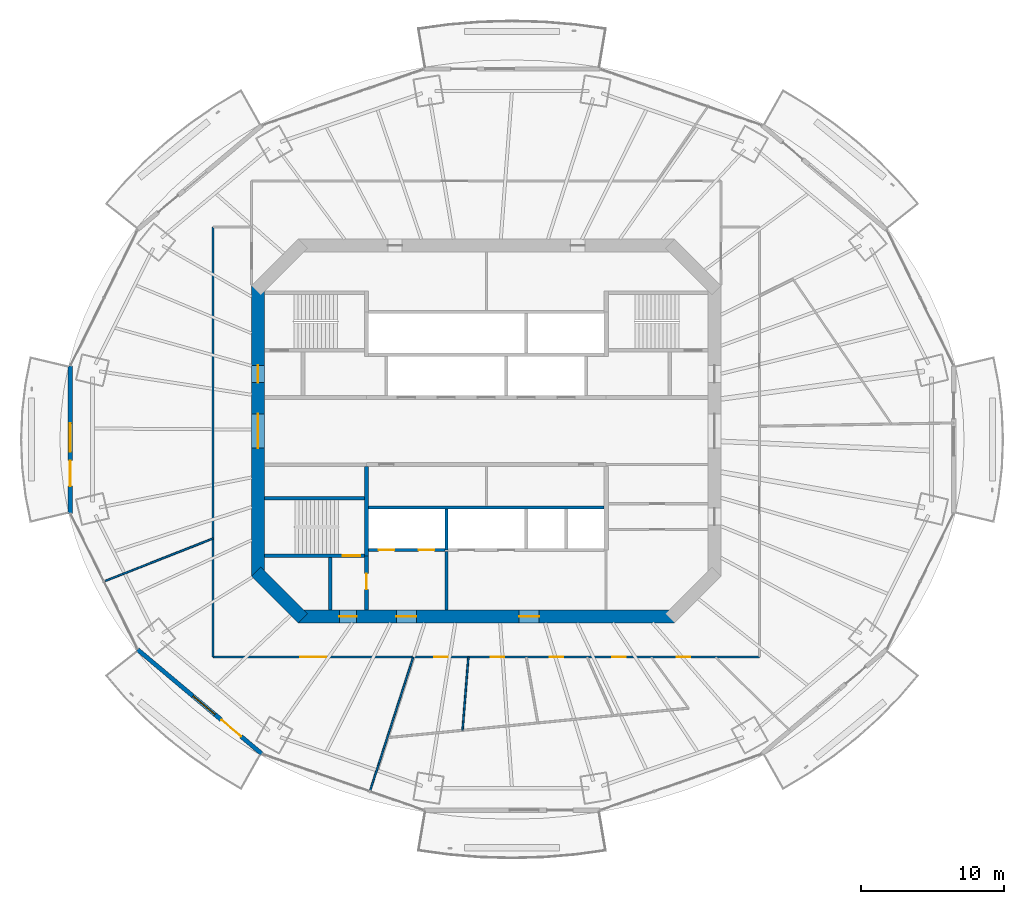
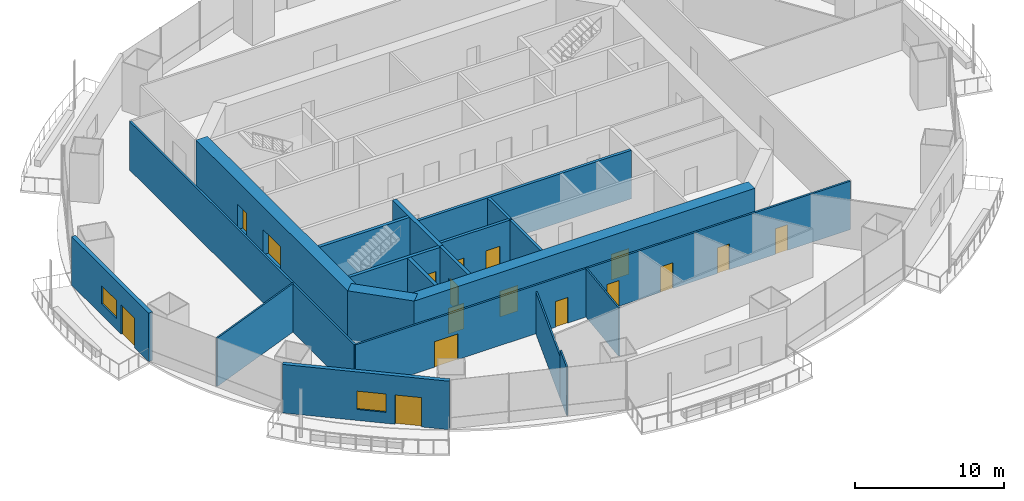
# One storey, part 12 of 21: 20 walls, 17 doors, 2 windows, 19 openings.
"""IFC4 building model written with IfcOpenShell, lengths in metres."""

import ifcopenshell
import ifcopenshell.guid

model = None  # the IFC model being written
_history = None  # IfcOwnerHistory: only IFC2X3 demands one
_inside = {}  # id of a spatial element -> (the spatial element, [elements in it])
_under = {}  # id of a project, library or spatial element -> (it, [spatial elements below it])
_declared = {}  # id of a project -> (the project, [libraries it declares])
_typed = {}  # id of a type object -> (the type object, [elements of that type])
_made_of = {}  # id of a material, layer set ... -> (it, [elements and type objects made of it])


def new_model(schema):
    """Start an empty IFC model of exactly this schema.

    Asked for "IFC4X3", IfcOpenShell would pick the latest addendum, in which some entities
    have other attributes; the version numbers below select the first issue.
    IFC2X3 requires an IfcOwnerHistory on every rooted entity: one is made here for all.
    """
    global model, _history
    if schema == "IFC4X3":
        model = ifcopenshell.file(schema_version=(4, 3, 0, 0))
    else:
        model = ifcopenshell.file(schema=schema)
    _inside.clear()
    _under.clear()
    _declared.clear()
    _typed.clear()
    _made_of.clear()
    _history = None
    if model.schema == "IFC2X3":
        org = make("IfcOrganization", Name="unknown")
        user = make(
            "IfcPersonAndOrganization",
            ThePerson=make("IfcPerson", FamilyName="unknown"),
            TheOrganization=org,
        )
        app = make(
            "IfcApplication",
            ApplicationDeveloper=org,
            Version="unknown",
            ApplicationFullName="unknown",
            ApplicationIdentifier="unknown",
        )
        _history = make(
            "IfcOwnerHistory",
            OwningUser=user,
            OwningApplication=app,
            ChangeAction="ADDED",
            CreationDate=0,
        )
    return model


def make(cls, **values):
    """One entity of the class cls with the attributes given. An attribute that is None is left unset."""
    return model.create_entity(
        cls, **{name: value for name, value in values.items() if value is not None}
    )


def rooted(cls, **values):
    """An entity with a GlobalId (a new one), such as an element, a storey or a relation."""
    return make(cls, GlobalId=ifcopenshell.guid.new(), OwnerHistory=_history, **values)


def si_unit(unit_type, name, prefix=None):
    """IfcSIUnit, for example si_unit("LENGTHUNIT", "METRE", prefix="MILLI")."""
    return make("IfcSIUnit", UnitType=unit_type, Prefix=prefix, Name=name)


def assignment(units):
    """IfcUnitAssignment: the units of a project."""
    return None if units is None else make("IfcUnitAssignment", Units=units)


def point(xyz):
    """IfcCartesianPoint."""
    return None if xyz is None else make("IfcCartesianPoint", Coordinates=xyz)


def direction(xyz):
    """IfcDirection."""
    return None if xyz is None else make("IfcDirection", DirectionRatios=xyz)


def frame(location, z_axis=None, x_axis=None):
    """IfcAxis2Placement3D, a coordinate frame: its origin and axes. An axis left out is left unset."""
    return make(
        "IfcAxis2Placement3D",
        Location=point(location),
        Axis=direction(z_axis),
        RefDirection=direction(x_axis),
    )


def frame_2d(location, x_axis=None):
    """IfcAxis2Placement2D, a coordinate frame in the plane: its origin and x axis."""
    return make(
        "IfcAxis2Placement2D", Location=point(location), RefDirection=direction(x_axis)
    )


def origin():
    """The frame at (0, 0, 0) with its axes left unset."""
    return frame((0.0, 0.0, 0.0))


def place(relative_to, where):
    """IfcLocalPlacement: puts the frame where relative to a parent placement (None: the world)."""
    return make(
        "IfcLocalPlacement", PlacementRelTo=relative_to, RelativePlacement=where
    )


def context(
    kind, dimensions, precision=None, world=None, true_north=None, identifier=None
):
    """IfcGeometricRepresentationContext, for example the 3D "Model" context."""
    return make(
        "IfcGeometricRepresentationContext",
        ContextIdentifier=identifier,
        ContextType=kind,
        CoordinateSpaceDimension=dimensions,
        Precision=precision,
        WorldCoordinateSystem=world,
        TrueNorth=true_north,
    )


def subcontext(parent, identifier, kind, view, scale=None):
    """IfcGeometricRepresentationSubContext, for example "Body" below "Model"."""
    return make(
        "IfcGeometricRepresentationSubContext",
        ContextIdentifier=identifier,
        ContextType=kind,
        ParentContext=parent,
        TargetScale=scale,
        TargetView=view,
    )


def project(units=None, contexts=None):
    """IfcProject with its units and contexts."""
    return rooted(
        "IfcProject",
        Name="project",
        RepresentationContexts=contexts,
        UnitsInContext=assignment(units),
    )


def spatial(cls, under=None, at=None, **own):
    """A site, building, storey or space (cls), placed at a placement, below another one or the project."""
    s = rooted(cls, ObjectPlacement=at, **own)
    if under is not None:
        _under.setdefault(under.id(), (under, []))[1].append(s)
    return s


def profile(cls, at=None, kind="AREA", **sizes):
    """A parametric profile (cls). Its sizes go by their IFC names, for example OverallWidth=200.0."""
    return make(cls, ProfileType=kind, Position=at, **sizes)


def rectangle(**sizes):
    """IfcRectangleProfileDef."""
    return profile("IfcRectangleProfileDef", **sizes)


def extrude(swept, where, along, depth):
    """IfcExtrudedAreaSolid: the profile swept, set in the frame where, extruded along a direction by depth."""
    return make(
        "IfcExtrudedAreaSolid",
        SweptArea=swept,
        Position=where,
        ExtrudedDirection=direction(along),
        Depth=depth,
    )


def shape(context_of_items, identifier, shape_type, items):
    """IfcShapeRepresentation: the items that make up one representation, for example the "Body"."""
    return make(
        "IfcShapeRepresentation",
        ContextOfItems=context_of_items,
        RepresentationIdentifier=identifier,
        RepresentationType=shape_type,
        Items=items,
    )


def material(Name=None, Category=None):
    """IfcMaterial."""
    return make("IfcMaterial", Name=Name, Category=Category)


def layer(
    of_material, thickness, ventilated=None, Name=None, Category=None, Priority=None
):
    """IfcMaterialLayer: one layer of a wall or slab, of a material (None: an air gap)."""
    return make(
        "IfcMaterialLayer",
        Material=of_material,
        LayerThickness=thickness,
        IsVentilated=ventilated,
        Name=Name,
        Category=Category,
        Priority=Priority,
    )


def layer_set(layers, Name=None):
    """IfcMaterialLayerSet."""
    return make("IfcMaterialLayerSet", MaterialLayers=layers, LayerSetName=Name)


def made_of(thing, what):
    """Note that an element or type object is made of a material, layer set ...; save() writes the relation."""
    if what is not None:
        _made_of.setdefault(what.id(), (what, []))[1].append(thing)
    return thing


def type_object(cls, material=None, **own):
    """A type object (cls), such as IfcWallType, which elements share."""
    return made_of(rooted(cls, **own), material)


def element(
    cls,
    number,
    at=None,
    inside=None,
    cuts=None,
    type_object=None,
    material=None,
    context=None,
    identifier="Body",
    shape_type=None,
    held_by="IfcProductDefinitionShape",
    body=None,
    shapes=None,
    **own,
):
    """One element of the class cls, such as IfcWall. Its Tag is "e" and its number.

    at: its placement. inside: the storey or other place that contains it. cuts: it is an
    opening in that element (IfcRelVoidsElement). A single representation is given by context,
    identifier, shape_type and body (its items); several are given by shapes. held_by: the class
    of the entity that holds the representations. save() writes the other relations.
    """
    e = rooted(cls, Tag="e%d" % number, ObjectPlacement=at, **own)
    if body is not None:
        shapes = [shape(context, identifier, shape_type, body)]
    if shapes is not None:
        e.Representation = make(held_by, Representations=shapes)
    if inside is not None:
        _inside.setdefault(inside.id(), (inside, []))[1].append(e)
    if cuts is not None:
        rooted(
            "IfcRelVoidsElement", RelatingBuildingElement=cuts, RelatedOpeningElement=e
        )
    if type_object is not None:
        _typed.setdefault(type_object.id(), (type_object, []))[1].append(e)
    return made_of(e, material)


def fill(opening, filler):
    """IfcRelFillsElement: the door or window that sits in an opening."""
    return rooted(
        "IfcRelFillsElement",
        RelatingOpeningElement=opening,
        RelatedBuildingElement=filler,
    )


def aggregate(whole, parts):
    """IfcRelAggregates: a whole, such as a stair, and the parts it consists of."""
    return rooted("IfcRelAggregates", RelatingObject=whole, RelatedObjects=parts)


def save(model, path):
    """Write the relations noted so far, then the file.

    IfcRelAggregates (storeys below a building ...), IfcRelContainedInSpatialStructure (elements
    in a storey), IfcRelDefinesByType, IfcRelAssociatesMaterial and IfcRelDeclares: one each for
    every whole, place, type object, material and project.
    """
    for whole, parts in _under.values():
        aggregate(whole, parts)
    for where, things in _inside.values():
        rooted(
            "IfcRelContainedInSpatialStructure",
            RelatedElements=things,
            RelatingStructure=where,
        )
    for kind, things in _typed.values():
        rooted("IfcRelDefinesByType", RelatedObjects=things, RelatingType=kind)
    for what, things in _made_of.values():
        rooted("IfcRelAssociatesMaterial", RelatedObjects=things, RelatingMaterial=what)
    for by, libraries in _declared.values():
        rooted("IfcRelDeclares", RelatingContext=by, RelatedDefinitions=libraries)
    model.write(path)


model = new_model("IFC4")

# Units and contexts
model_context = context("Model", 3, precision=1e-05, world=origin(), true_north=direction((0.0, 1.0)))
body_context = subcontext(model_context, "Body", "Model", "MODEL_VIEW")
ifc_project = project(units=[si_unit("LENGTHUNIT", "METRE"), si_unit("AREAUNIT", "SQUARE_METRE"), si_unit("VOLUMEUNIT", "CUBIC_METRE"), si_unit("PLANEANGLEUNIT", "RADIAN"), si_unit("MASSUNIT", "GRAM", prefix="KILO")], contexts=[model_context])

# Site, building, storey
site_placement = place(None, origin())
site = spatial("IfcSite", under=ifc_project, at=site_placement, CompositionType="ELEMENT")
building_placement = place(site_placement, origin())
building = spatial("IfcBuilding", under=site, at=building_placement, Name="Marenthal Gate Tower", CompositionType="ELEMENT")
storey_placement = place(building_placement, frame((0.0, 0.0, 206.699951171875)))
storey = spatial("IfcBuildingStorey", under=building, at=storey_placement, Name="L45", CompositionType="ELEMENT", Elevation=206.699951171875)

# Wall, openings, doors
ifc_material_1 = material(Name="Concrete 60 MPa", Category="concrete")
ifc_layer_1 = layer(ifc_material_1, 0.89990234375)
ifc_layer_set_1 = layer_set([ifc_layer_1], Name="Core shear wall 900")
wall_type_1 = type_object("IfcWallType", Name="Core shear wall 900", PredefinedType="SHEAR", material=ifc_layer_set_1)
wall_1_placement = place(storey_placement, frame((-16.0, 10.186279296875, -0.179931640625), z_axis=(0.0, 0.0, 1.0), x_axis=(0.0, -1.0, 0.0)))
wall_1 = element("IfcWall", 1, at=wall_1_placement, inside=storey, type_object=wall_type_1, Name="Core wall 06", PredefinedType="SHEAR", context=body_context, shape_type="SweptSolid", body=[
    extrude(rectangle(XDim=20.37255859375, YDim=0.89990234375, at=frame_2d((10.186279296875, 0.0))), origin(), (0.0, 0.0, 1.0), 4.14990234375),
])
opening_1_placement = place(wall_1_placement, frame((8.986328125, 0.0, 0.179931640625)))
opening_1 = element("IfcOpeningElement", 2, at=opening_1_placement, cuts=wall_1, Name="Opening D003.01", PredefinedType="OPENING", context=body_context, shape_type="SweptSolid", body=[
    extrude(rectangle(XDim=2.39990234375, YDim=2.10009765625, at=frame_2d((1.199951171875, 1.050048828125))), frame((0.0, 0.4599609375, 0.0), z_axis=(0.0, -1.0, 0.0), x_axis=(1.0, 0.0, 0.0)), (0.0, 0.0, 1.0), 0.919921875),
])
opening_2_placement = place(wall_1_placement, frame((5.58642578125, 0.0, 0.179931640625)))
opening_2 = element("IfcOpeningElement", 3, at=opening_2_placement, cuts=wall_1, Name="Opening D001.04", PredefinedType="OPENING", context=body_context, shape_type="SweptSolid", body=[
    extrude(rectangle(XDim=1.199951171875, YDim=2.10009765625, at=frame_2d((0.60009765625, 1.050048828125))), frame((0.0, 0.4599609375, 0.0), z_axis=(0.0, -1.0, 0.0), x_axis=(1.0, 0.0, 0.0)), (0.0, 0.0, 1.0), 0.919921875),
])
ifc_material_2 = material(Name="Steel fire door", Category="steel")
door_type_1 = type_object("IfcDoorType", Name="Double fire door FD 45 2400 x 2100", OperationType="DOUBLE_DOOR_SINGLE_SWING", PredefinedType="DOOR", material=ifc_material_2)
door_1_placement = place(opening_1_placement, origin())
door_1 = element("IfcDoor", 4, at=door_1_placement, inside=storey, type_object=door_type_1, Name="Door D003.01", OperationType="DOUBLE_DOOR_SINGLE_SWING", OverallHeight=2.10009765625, OverallWidth=2.39990234375, PredefinedType="DOOR", context=body_context, shape_type="SweptSolid", body=[
    extrude(rectangle(XDim=2.39990234375, YDim=2.10009765625, at=frame_2d((1.199951171875, 1.050048828125))), frame((0.0, 0.02490234375, 0.0), z_axis=(0.0, -1.0, 0.0), x_axis=(1.0, 0.0, 0.0)), (0.0, 0.0, 1.0), 0.050048828125),
])
fill(opening_1, door_1)
ifc_material_3 = material(Name="Steel fire door", Category="steel")
door_type_2 = type_object("IfcDoorType", Name="Fire door FD 90 1200 x 2100", OperationType="NOTDEFINED", PredefinedType="DOOR", material=ifc_material_3)
door_2_placement = place(opening_2_placement, origin())
door_2 = element("IfcDoor", 5, at=door_2_placement, inside=storey, type_object=door_type_2, Name="Door D001.04", OperationType="SINGLE_SWING_RIGHT", OverallHeight=2.10009765625, OverallWidth=1.199951171875, PredefinedType="DOOR", context=body_context, shape_type="SweptSolid", body=[
    extrude(rectangle(XDim=1.199951171875, YDim=2.10009765625, at=frame_2d((0.60009765625, 1.050048828125))), frame((0.0, 0.02490234375, 0.0), z_axis=(0.0, -1.0, 0.0), x_axis=(1.0, 0.0, 0.0)), (0.0, 0.0, 1.0), 0.050048828125),
])
fill(opening_2, door_2)

# Wall
wall_2_placement = place(storey_placement, frame((-16.1318359375, -9.8681640625, -0.179931640625), z_axis=(0.0, 0.0, 1.0), x_axis=(0.707106781187, -0.707106781187, 0.0)))
element("IfcWall", 6, at=wall_2_placement, inside=storey, type_object=wall_type_1, Name="Core wall 07", PredefinedType="SHEAR", context=body_context, shape_type="SweptSolid", body=[
    extrude(rectangle(XDim=4.615478515625, YDim=0.89990234375, at=frame_2d((2.3076171875, 0.0))), origin(), (0.0, 0.0, 1.0), 4.14990234375),
])

# Wall, openings, doors
wall_3_placement = place(storey_placement, frame((-13.186279296875, -13.0, -0.179931640625), z_axis=(0.0, 0.0, 1.0), x_axis=(1.0, 0.0, 0.0)))
wall_3 = element("IfcWall", 7, at=wall_3_placement, inside=storey, type_object=wall_type_1, Name="Core wall 08", PredefinedType="SHEAR", context=body_context, shape_type="SweptSolid", body=[
    extrude(rectangle(XDim=26.37255859375, YDim=0.89990234375, at=frame_2d((13.186279296875, 0.0))), origin(), (0.0, 0.0, 1.0), 4.14990234375),
])
opening_3_placement = place(wall_3_placement, frame((2.886474609375, 0.0, 0.179931640625)))
opening_3 = element("IfcOpeningElement", 8, at=opening_3_placement, cuts=wall_3, Name="Opening D001.06", PredefinedType="OPENING", context=body_context, shape_type="SweptSolid", body=[
    extrude(rectangle(XDim=1.199951171875, YDim=2.10009765625, at=frame_2d((0.60009765625, 1.050048828125))), frame((0.0, 0.4599609375, 0.0), z_axis=(0.0, -1.0, 0.0), x_axis=(1.0, 0.0, 0.0)), (0.0, 0.0, 1.0), 0.919921875),
])
opening_4_placement = place(wall_3_placement, frame((6.886474609375, 0.0, 0.179931640625)))
opening_4 = element("IfcOpeningElement", 9, at=opening_4_placement, cuts=wall_3, Name="Opening D004.01", PredefinedType="OPENING", context=body_context, shape_type="SweptSolid", body=[
    extrude(rectangle(XDim=1.39990234375, YDim=2.10009765625, at=frame_2d((0.699951171875, 1.050048828125))), frame((0.0, 0.4599609375, 0.0), z_axis=(0.0, -1.0, 0.0), x_axis=(1.0, 0.0, 0.0)), (0.0, 0.0, 1.0), 0.919921875),
])
opening_5_placement = place(wall_3_placement, frame((15.486328125, 0.0, 0.179931640625)))
opening_5 = element("IfcOpeningElement", 10, at=opening_5_placement, cuts=wall_3, Name="Opening D004.02", PredefinedType="OPENING", context=body_context, shape_type="SweptSolid", body=[
    extrude(rectangle(XDim=1.39990234375, YDim=2.10009765625, at=frame_2d((0.699951171875, 1.050048828125))), frame((0.0, 0.4599609375, 0.0), z_axis=(0.0, -1.0, 0.0), x_axis=(1.0, 0.0, 0.0)), (0.0, 0.0, 1.0), 0.919921875),
])
ifc_material_4 = material(Name="Steel fire door", Category="steel")
door_type_3 = type_object("IfcDoorType", Name="Fire door FD 45 1400 x 2100", OperationType="NOTDEFINED", PredefinedType="DOOR", material=ifc_material_4)
door_3_placement = place(opening_4_placement, origin())
door_3 = element("IfcDoor", 11, at=door_3_placement, inside=storey, type_object=door_type_3, Name="Door D004.01", OperationType="SINGLE_SWING_RIGHT", OverallHeight=2.10009765625, OverallWidth=1.39990234375, PredefinedType="DOOR", context=body_context, shape_type="SweptSolid", body=[
    extrude(rectangle(XDim=1.39990234375, YDim=2.10009765625, at=frame_2d((0.699951171875, 1.050048828125))), frame((0.0, 0.02490234375, 0.0), z_axis=(0.0, -1.0, 0.0), x_axis=(1.0, 0.0, 0.0)), (0.0, 0.0, 1.0), 0.050048828125),
])
fill(opening_4, door_3)
door_4_placement = place(opening_5_placement, origin())
door_4 = element("IfcDoor", 12, at=door_4_placement, inside=storey, type_object=door_type_3, Name="Door D004.02", OperationType="SINGLE_SWING_RIGHT", OverallHeight=2.10009765625, OverallWidth=1.39990234375, PredefinedType="DOOR", context=body_context, shape_type="SweptSolid", body=[
    extrude(rectangle(XDim=1.39990234375, YDim=2.10009765625, at=frame_2d((0.699951171875, 1.050048828125))), frame((0.0, 0.02490234375, 0.0), z_axis=(0.0, -1.0, 0.0), x_axis=(1.0, 0.0, 0.0)), (0.0, 0.0, 1.0), 0.050048828125),
])
fill(opening_5, door_4)
door_5_placement = place(opening_3_placement, origin())
door_5 = element("IfcDoor", 13, at=door_5_placement, inside=storey, type_object=door_type_2, Name="Door D001.06", OperationType="SINGLE_SWING_RIGHT", OverallHeight=2.10009765625, OverallWidth=1.199951171875, PredefinedType="DOOR", context=body_context, shape_type="SweptSolid", body=[
    extrude(rectangle(XDim=1.199951171875, YDim=2.10009765625, at=frame_2d((0.60009765625, 1.050048828125))), frame((0.0, 0.02490234375, 0.0), z_axis=(0.0, -1.0, 0.0), x_axis=(1.0, 0.0, 0.0)), (0.0, 0.0, 1.0), 0.050048828125),
])
fill(opening_3, door_5)

# Walls
ifc_material_5 = material(Name="Gypsum board on steel studs", Category="steel")
ifc_layer_2 = layer(ifc_material_5, 0.199951171875)
ifc_layer_set_2 = layer_set([ifc_layer_2], Name="Fire lobby wall 200")
wall_type_2 = type_object("IfcWallType", Name="Fire lobby wall 200", PredefinedType="PARTITIONING", material=ifc_layer_set_2)
wall_4_placement = place(storey_placement, frame((-2.800048828125, -12.550048828125, 0.0), z_axis=(0.0, 0.0, 1.0), x_axis=(0.0, 1.0, 0.0)))
element("IfcWall", 14, at=wall_4_placement, inside=storey, type_object=wall_type_2, Name="Fire wall 35", PredefinedType="PARTITIONING", context=body_context, shape_type="SweptSolid", body=[
    extrude(rectangle(XDim=4.090087890625, YDim=0.199951171875, at=frame_2d((2.044921875, 0.0))), origin(), (0.0, 0.0, 1.0), 3.969970703125),
])
ifc_material_6 = material(Name="Concrete 50 MPa", Category="concrete")
ifc_layer_3 = layer(ifc_material_6, 0.300048828125)
ifc_layer_set_3 = layer_set([ifc_layer_3], Name="Hoistway shear wall 300")
wall_type_3 = type_object("IfcWallType", Name="Hoistway shear wall 300", PredefinedType="SHEAR", material=ifc_layer_set_3)
wall_5_placement = place(storey_placement, frame((-8.39990234375, -8.75, -0.179931640625), z_axis=(0.0, 0.0, 1.0), x_axis=(0.0, 1.0, 0.0)))
element("IfcWall", 15, at=wall_5_placement, inside=storey, type_object=wall_type_3, Name="Hoistway wall 31", PredefinedType="SHEAR", context=body_context, shape_type="SweptSolid", body=[
    extrude(rectangle(XDim=6.25, YDim=0.300048828125, at=frame_2d((3.125, 0.0))), origin(), (0.0, 0.0, 1.0), 4.14990234375),
])

# Wall, openings, doors
ifc_material_7 = material(Name="Concrete 40 MPa", Category="concrete")
ifc_layer_4 = layer(ifc_material_7, 0.219970703125)
ifc_layer_set_4 = layer_set([ifc_layer_4], Name="Hoistway wall 220")
wall_type_4 = type_object("IfcWallType", Name="Hoistway wall 220", PredefinedType="STANDARD", material=ifc_layer_set_4)
wall_6_placement = place(storey_placement, frame((-8.25, -8.35009765625, 0.0), z_axis=(0.0, 0.0, 1.0), x_axis=(1.0, 0.0, 0.0)))
wall_6 = element("IfcWall", 16, at=wall_6_placement, inside=storey, type_object=wall_type_4, Name="Hoistway wall 10", PredefinedType="STANDARD", context=body_context, shape_type="SweptSolid", body=[
    extrude(rectangle(XDim=5.340087890625, YDim=0.219970703125, at=frame_2d((2.669921875, 0.0))), origin(), (0.0, 0.0, 1.0), 3.969970703125),
])
opening_6_placement = place(wall_6_placement, frame((0.699951171875, 0.0, 0.0)))
opening_6 = element("IfcOpeningElement", 17, at=opening_6_placement, cuts=wall_6, Name="Opening LD-LF1", PredefinedType="OPENING", context=body_context, shape_type="SweptSolid", body=[
    extrude(rectangle(XDim=1.10009765625, YDim=2.10009765625, at=frame_2d((0.550048828125, 1.050048828125))), frame((0.0, 0.1201171875, 0.0), z_axis=(0.0, -1.0, 0.0), x_axis=(1.0, 0.0, 0.0)), (0.0, 0.0, 1.0), 0.239990234375),
])
opening_7_placement = place(wall_6_placement, frame((3.5, 0.0, 0.0)))
opening_7 = element("IfcOpeningElement", 18, at=opening_7_placement, cuts=wall_6, Name="Opening LD-LF2", PredefinedType="OPENING", context=body_context, shape_type="SweptSolid", body=[
    extrude(rectangle(XDim=1.10009765625, YDim=2.10009765625, at=frame_2d((0.550048828125, 1.050048828125))), frame((0.0, 0.1201171875, 0.0), z_axis=(0.0, -1.0, 0.0), x_axis=(1.0, 0.0, 0.0)), (0.0, 0.0, 1.0), 0.239990234375),
])
ifc_material_8 = material(Name="Stainless steel sliding door", Category="steel")
door_type_4 = type_object("IfcDoorType", Name="Lift landing door FD 90 1100 x 2100", OperationType="DOUBLE_DOOR_SLIDING", PredefinedType="DOOR", material=ifc_material_8)
door_6_placement = place(opening_6_placement, origin())
door_6 = element("IfcDoor", 19, at=door_6_placement, inside=storey, type_object=door_type_4, Name="Lift landing door LF1", OperationType="DOUBLE_DOOR_SLIDING", OverallHeight=2.10009765625, OverallWidth=1.10009765625, PredefinedType="DOOR", context=body_context, shape_type="SweptSolid", body=[
    extrude(rectangle(XDim=1.10009765625, YDim=2.10009765625, at=frame_2d((0.550048828125, 1.050048828125))), frame((0.0, 0.02490234375, 0.0), z_axis=(0.0, -1.0, 0.0), x_axis=(1.0, 0.0, 0.0)), (0.0, 0.0, 1.0), 0.050048828125),
])
fill(opening_6, door_6)
door_7_placement = place(opening_7_placement, origin())
door_7 = element("IfcDoor", 20, at=door_7_placement, inside=storey, type_object=door_type_4, Name="Lift landing door LF2", OperationType="DOUBLE_DOOR_SLIDING", OverallHeight=2.10009765625, OverallWidth=1.10009765625, PredefinedType="DOOR", context=body_context, shape_type="SweptSolid", body=[
    extrude(rectangle(XDim=1.10009765625, YDim=2.10009765625, at=frame_2d((0.550048828125, 1.050048828125))), frame((0.0, 0.02490234375, 0.0), z_axis=(0.0, -1.0, 0.0), x_axis=(1.0, 0.0, 0.0)), (0.0, 0.0, 1.0), 0.050048828125),
])
fill(opening_7, door_7)

# Walls
wall_7_placement = place(storey_placement, frame((-8.25, -5.35009765625, 0.0), z_axis=(0.0, 0.0, 1.0), x_axis=(1.0, 0.0, 0.0)))
element("IfcWall", 21, at=wall_7_placement, inside=storey, type_object=wall_type_4, Name="Hoistway wall 13", PredefinedType="STANDARD", context=body_context, shape_type="SweptSolid", body=[
    extrude(rectangle(XDim=16.5, YDim=0.219970703125, at=frame_2d((8.25, 0.0))), origin(), (0.0, 0.0, 1.0), 3.969970703125),
])
wall_8_placement = place(storey_placement, frame((-2.800048828125, -8.35009765625, 0.0), z_axis=(0.0, 0.0, 1.0), x_axis=(0.0, 1.0, 0.0)))
element("IfcWall", 22, at=wall_8_placement, inside=storey, type_object=wall_type_4, Name="Hoistway wall 36", PredefinedType="STANDARD", context=body_context, shape_type="SweptSolid", body=[
    extrude(rectangle(XDim=2.89013671875, YDim=0.219970703125, at=frame_2d((1.445068359375, 0.0))), origin(), (0.0, 0.0, 1.0), 3.969970703125),
])
ifc_material_9 = material(Name="Gypsum board on steel studs", Category="steel")
ifc_layer_5 = layer(ifc_material_9, 0.1201171875)
ifc_layer_set_5 = layer_set([ifc_layer_5], Name="Partition 120")
wall_type_5 = type_object("IfcWallType", Name="Partition 120", PredefinedType="PARTITIONING", material=ifc_layer_set_5)
wall_9_placement = place(storey_placement, frame((-19.14990234375, -7.5322265625, 0.0), z_axis=(0.0, 0.0, 1.0), x_axis=(-0.930605381834, -0.366024074757, 0.0)))
element("IfcWall", 23, at=wall_9_placement, inside=storey, type_object=wall_type_5, Name="Partition wall 50", PredefinedType="PARTITIONING", context=body_context, shape_type="SweptSolid", body=[
    extrude(rectangle(XDim=8.2294921875, YDim=0.1201171875, at=frame_2d((4.11474609375, 0.0))), origin(), (0.0, 0.0, 1.0), 3.969970703125),
])
wall_10_placement = place(storey_placement, frame((-5.12109375, -15.85009765625, 0.0), z_axis=(0.0, 0.0, 1.0), x_axis=(-0.307427025164, -0.951571660044, 0.0)))
element("IfcWall", 24, at=wall_10_placement, inside=storey, type_object=wall_type_5, Name="Partition wall 55", PredefinedType="PARTITIONING", context=body_context, shape_type="SweptSolid", body=[
    extrude(rectangle(XDim=7.868408203125, YDim=0.1201171875, at=frame_2d((3.93408203125, 0.0))), origin(), (0.0, 0.0, 1.0), 3.43408203125),
])
wall_11_placement = place(storey_placement, frame((-7.5400390625, -23.33740234375, 0.0), z_axis=(0.0, 0.0, 1.0), x_axis=(-0.307495996113, -0.951549374638, 0.0)))
element("IfcWall", 25, at=wall_11_placement, inside=storey, type_object=wall_type_5, Name="Partition wall 69", PredefinedType="PARTITIONING", context=body_context, shape_type="SweptSolid", body=[
    extrude(rectangle(XDim=2.024658203125, YDim=0.1201171875, at=frame_2d((1.01220703125, 0.0))), origin(), (0.0, 0.0, 1.0), 3.969970703125),
])
wall_12_placement = place(storey_placement, frame((-1.66552734375, -20.9814453125, 0.0), z_axis=(0.0, 0.0, 1.0), x_axis=(0.07911181221, 0.996865748819, 0.0)))
element("IfcWall", 26, at=wall_12_placement, inside=storey, type_object=wall_type_5, Name="Partition wall 56", PredefinedType="PARTITIONING", context=body_context, shape_type="SweptSolid", body=[
    extrude(rectangle(XDim=5.1474609375, YDim=0.1201171875, at=frame_2d((2.57373046875, 0.0))), origin(), (0.0, 0.0, 1.0), 3.969970703125),
])
ifc_material_10 = material(Name="Gypsum board on steel studs", Category="steel")
ifc_layer_6 = layer(ifc_material_10, 0.14990234375)
ifc_layer_set_6 = layer_set([ifc_layer_6], Name="Partition 150")
wall_type_6 = type_object("IfcWallType", Name="Partition 150", PredefinedType="PARTITIONING", material=ifc_layer_set_6)
wall_13_placement = place(storey_placement, frame((-19.14990234375, -15.85009765625, 0.0), z_axis=(0.0, 0.0, 1.0), x_axis=(0.0, 1.0, 0.0)))
element("IfcWall", 27, at=wall_13_placement, inside=storey, type_object=wall_type_6, Name="Partition wall 49", PredefinedType="PARTITIONING", context=body_context, shape_type="SweptSolid", body=[
    extrude(rectangle(XDim=30.1513671875, YDim=0.14990234375, at=frame_2d((15.07568359375, 0.0))), origin(), (0.0, 0.0, 1.0), 3.969970703125),
])

# Wall, openings, doors
wall_14_placement = place(storey_placement, frame((19.14990234375, -15.85009765625, 0.0), z_axis=(0.0, 0.0, 1.0), x_axis=(-1.0, 0.0, 0.0)))
wall_14 = element("IfcWall", 28, at=wall_14_placement, inside=storey, type_object=wall_type_6, Name="Partition wall 64", PredefinedType="PARTITIONING", context=body_context, shape_type="SweptSolid", body=[
    extrude(rectangle(XDim=38.2998046875, YDim=0.14990234375, at=frame_2d((19.14990234375, 0.0))), origin(), (0.0, 0.0, 1.0), 3.969970703125),
])
opening_8_placement = place(wall_14_placement, frame((30.385986328125, 0.0, 0.0)))
opening_8 = element("IfcOpeningElement", 29, at=opening_8_placement, cuts=wall_14, Name="Opening D014.03", PredefinedType="OPENING", context=body_context, shape_type="SweptSolid", body=[
    extrude(rectangle(XDim=1.800048828125, YDim=2.10009765625, at=frame_2d((0.89990234375, 1.050048828125))), frame((0.0, 0.0849609375, 0.0), z_axis=(0.0, -1.0, 0.0), x_axis=(1.0, 0.0, 0.0)), (0.0, 0.0, 1.0), 0.169921875),
])
opening_9_placement = place(wall_14_placement, frame((21.864013671875, 0.0, 0.0)))
opening_9 = element("IfcOpeningElement", 30, at=opening_9_placement, cuts=wall_14, Name="Opening D016.02", PredefinedType="OPENING", context=body_context, shape_type="SweptSolid", body=[
    extrude(rectangle(XDim=0.949951171875, YDim=2.10009765625, at=frame_2d((0.47509765625, 1.050048828125))), frame((0.0, 0.0849609375, 0.0), z_axis=(0.0, -1.0, 0.0), x_axis=(1.0, 0.0, 0.0)), (0.0, 0.0, 1.0), 0.169921875),
])
opening_10_placement = place(wall_14_placement, frame((17.904052734375, 0.0, 0.0)))
opening_10 = element("IfcOpeningElement", 31, at=opening_10_placement, cuts=wall_14, Name="Opening D016.03", PredefinedType="OPENING", context=body_context, shape_type="SweptSolid", body=[
    extrude(rectangle(XDim=0.949951171875, YDim=2.10009765625, at=frame_2d((0.47509765625, 1.050048828125))), frame((0.0, 0.0849609375, 0.0), z_axis=(0.0, -1.0, 0.0), x_axis=(1.0, 0.0, 0.0)), (0.0, 0.0, 1.0), 0.169921875),
])
opening_11_placement = place(wall_14_placement, frame((13.740966796875, 0.0, 0.0)))
opening_11 = element("IfcOpeningElement", 32, at=opening_11_placement, cuts=wall_14, Name="Opening D016.04", PredefinedType="OPENING", context=body_context, shape_type="SweptSolid", body=[
    extrude(rectangle(XDim=0.949951171875, YDim=2.10009765625, at=frame_2d((0.47509765625, 1.050048828125))), frame((0.0, 0.0849609375, 0.0), z_axis=(0.0, -1.0, 0.0), x_axis=(1.0, 0.0, 0.0)), (0.0, 0.0, 1.0), 0.169921875),
])
opening_12_placement = place(wall_14_placement, frame((9.35888671875, 0.0, 0.0)))
opening_12 = element("IfcOpeningElement", 33, at=opening_12_placement, cuts=wall_14, Name="Opening D016.05", PredefinedType="OPENING", context=body_context, shape_type="SweptSolid", body=[
    extrude(rectangle(XDim=0.949951171875, YDim=2.10009765625, at=frame_2d((0.47509765625, 1.050048828125))), frame((0.0, 0.0849609375, 0.0), z_axis=(0.0, -1.0, 0.0), x_axis=(1.0, 0.0, 0.0)), (0.0, 0.0, 1.0), 0.169921875),
])
opening_13_placement = place(wall_14_placement, frame((4.861083984375, 0.0, 0.0)))
opening_13 = element("IfcOpeningElement", 34, at=opening_13_placement, cuts=wall_14, Name="Opening D016.06", PredefinedType="OPENING", context=body_context, shape_type="SweptSolid", body=[
    extrude(rectangle(XDim=0.949951171875, YDim=2.10009765625, at=frame_2d((0.47509765625, 1.050048828125))), frame((0.0, 0.0849609375, 0.0), z_axis=(0.0, -1.0, 0.0), x_axis=(1.0, 0.0, 0.0)), (0.0, 0.0, 1.0), 0.169921875),
])
ifc_material_11 = material(Name="Timber door", Category="wood")
door_type_5 = type_object("IfcDoorType", Name="Door 950 x 2100", OperationType="NOTDEFINED", PredefinedType="DOOR", material=ifc_material_11)
door_8_placement = place(opening_9_placement, origin())
door_8 = element("IfcDoor", 35, at=door_8_placement, inside=storey, type_object=door_type_5, Name="Door D016.02", OperationType="SINGLE_SWING_RIGHT", OverallHeight=2.10009765625, OverallWidth=0.949951171875, PredefinedType="DOOR", context=body_context, shape_type="SweptSolid", body=[
    extrude(rectangle(XDim=0.949951171875, YDim=2.10009765625, at=frame_2d((0.47509765625, 1.050048828125))), frame((0.0, 0.02490234375, 0.0), z_axis=(0.0, -1.0, 0.0), x_axis=(1.0, 0.0, 0.0)), (0.0, 0.0, 1.0), 0.050048828125),
])
fill(opening_9, door_8)
door_9_placement = place(opening_10_placement, origin())
door_9 = element("IfcDoor", 36, at=door_9_placement, inside=storey, type_object=door_type_5, Name="Door D016.03", OperationType="SINGLE_SWING_RIGHT", OverallHeight=2.10009765625, OverallWidth=0.949951171875, PredefinedType="DOOR", context=body_context, shape_type="SweptSolid", body=[
    extrude(rectangle(XDim=0.949951171875, YDim=2.10009765625, at=frame_2d((0.47509765625, 1.050048828125))), frame((0.0, 0.02490234375, 0.0), z_axis=(0.0, -1.0, 0.0), x_axis=(1.0, 0.0, 0.0)), (0.0, 0.0, 1.0), 0.050048828125),
])
fill(opening_10, door_9)
door_10_placement = place(opening_11_placement, origin())
door_10 = element("IfcDoor", 37, at=door_10_placement, inside=storey, type_object=door_type_5, Name="Door D016.04", OperationType="SINGLE_SWING_RIGHT", OverallHeight=2.10009765625, OverallWidth=0.949951171875, PredefinedType="DOOR", context=body_context, shape_type="SweptSolid", body=[
    extrude(rectangle(XDim=0.949951171875, YDim=2.10009765625, at=frame_2d((0.47509765625, 1.050048828125))), frame((0.0, 0.02490234375, 0.0), z_axis=(0.0, -1.0, 0.0), x_axis=(1.0, 0.0, 0.0)), (0.0, 0.0, 1.0), 0.050048828125),
])
fill(opening_11, door_10)
door_11_placement = place(opening_12_placement, origin())
door_11 = element("IfcDoor", 38, at=door_11_placement, inside=storey, type_object=door_type_5, Name="Door D016.05", OperationType="SINGLE_SWING_RIGHT", OverallHeight=2.10009765625, OverallWidth=0.949951171875, PredefinedType="DOOR", context=body_context, shape_type="SweptSolid", body=[
    extrude(rectangle(XDim=0.949951171875, YDim=2.10009765625, at=frame_2d((0.47509765625, 1.050048828125))), frame((0.0, 0.02490234375, 0.0), z_axis=(0.0, -1.0, 0.0), x_axis=(1.0, 0.0, 0.0)), (0.0, 0.0, 1.0), 0.050048828125),
])
fill(opening_12, door_11)
door_12_placement = place(opening_13_placement, origin())
door_12 = element("IfcDoor", 39, at=door_12_placement, inside=storey, type_object=door_type_5, Name="Door D016.06", OperationType="SINGLE_SWING_RIGHT", OverallHeight=2.10009765625, OverallWidth=0.949951171875, PredefinedType="DOOR", context=body_context, shape_type="SweptSolid", body=[
    extrude(rectangle(XDim=0.949951171875, YDim=2.10009765625, at=frame_2d((0.47509765625, 1.050048828125))), frame((0.0, 0.02490234375, 0.0), z_axis=(0.0, -1.0, 0.0), x_axis=(1.0, 0.0, 0.0)), (0.0, 0.0, 1.0), 0.050048828125),
])
fill(opening_13, door_12)
ifc_material_12 = material(Name="Timber door", Category="wood")
door_type_6 = type_object("IfcDoorType", Name="Double door 1800 x 2100", OperationType="DOUBLE_DOOR_SINGLE_SWING", PredefinedType="DOOR", material=ifc_material_12)
door_13_placement = place(opening_8_placement, origin())
door_13 = element("IfcDoor", 40, at=door_13_placement, inside=storey, type_object=door_type_6, Name="Door D014.03", OperationType="DOUBLE_DOOR_SINGLE_SWING", OverallHeight=2.10009765625, OverallWidth=1.800048828125, PredefinedType="DOOR", context=body_context, shape_type="SweptSolid", body=[
    extrude(rectangle(XDim=1.800048828125, YDim=2.10009765625, at=frame_2d((0.89990234375, 1.050048828125))), frame((0.0, 0.02490234375, 0.0), z_axis=(0.0, -1.0, 0.0), x_axis=(1.0, 0.0, 0.0)), (0.0, 0.0, 1.0), 0.050048828125),
])
fill(opening_8, door_13)

# Wall
ifc_material_13 = material(Name="Concrete 40 MPa", Category="concrete")
ifc_layer_7 = layer(ifc_material_13, 0.25)
ifc_layer_set_7 = layer_set([ifc_layer_7], Name="Stair enclosure wall 250")
wall_type_7 = type_object("IfcWallType", Name="Stair enclosure wall 250", PredefinedType="STANDARD", material=ifc_layer_set_7)
wall_15_placement = place(storey_placement, frame((-10.949951171875, -12.550048828125, 0.0), z_axis=(0.0, 0.0, 1.0), x_axis=(0.0, 1.0, 0.0)))
element("IfcWall", 41, at=wall_15_placement, inside=storey, type_object=wall_type_7, Name="Stair wall 29", PredefinedType="STANDARD", context=body_context, shape_type="SweptSolid", body=[
    extrude(rectangle(XDim=3.675048828125, YDim=0.25, at=frame_2d((1.83740234375, 0.0))), origin(), (0.0, 0.0, 1.0), 3.969970703125),
])

# Wall, opening, door
wall_16_placement = place(storey_placement, frame((-8.39990234375, -12.550048828125, 0.0), z_axis=(0.0, 0.0, 1.0), x_axis=(0.0, 1.0, 0.0)))
wall_16 = element("IfcWall", 42, at=wall_16_placement, inside=storey, type_object=wall_type_7, Name="Stair wall 30", PredefinedType="STANDARD", context=body_context, shape_type="SweptSolid", body=[
    extrude(rectangle(XDim=3.800048828125, YDim=0.25, at=frame_2d((1.89990234375, 0.0))), origin(), (0.0, 0.0, 1.0), 3.969970703125),
])
opening_14_placement = place(wall_16_placement, frame((1.449951171875, 0.0, 0.0)))
opening_14 = element("IfcOpeningElement", 43, at=opening_14_placement, cuts=wall_16, Name="Opening D002.01", PredefinedType="OPENING", context=body_context, shape_type="SweptSolid", body=[
    extrude(rectangle(XDim=1.10009765625, YDim=2.10009765625, at=frame_2d((0.550048828125, 1.050048828125))), frame((0.0, 0.135009765625, 0.0), z_axis=(0.0, -1.0, 0.0), x_axis=(1.0, 0.0, 0.0)), (0.0, 0.0, 1.0), 0.27001953125),
])
ifc_material_14 = material(Name="Steel fire door", Category="steel")
door_type_7 = type_object("IfcDoorType", Name="Fire door FD 90 1100 x 2100", OperationType="NOTDEFINED", PredefinedType="DOOR", material=ifc_material_14)
door_14_placement = place(opening_14_placement, origin())
door_14 = element("IfcDoor", 44, at=door_14_placement, inside=storey, type_object=door_type_7, Name="Door D002.01", OperationType="SINGLE_SWING_RIGHT", OverallHeight=2.10009765625, OverallWidth=1.10009765625, PredefinedType="DOOR", context=body_context, shape_type="SweptSolid", body=[
    extrude(rectangle(XDim=1.10009765625, YDim=2.10009765625, at=frame_2d((0.550048828125, 1.050048828125))), frame((0.0, 0.02490234375, 0.0), z_axis=(0.0, -1.0, 0.0), x_axis=(1.0, 0.0, 0.0)), (0.0, 0.0, 1.0), 0.050048828125),
])
fill(opening_14, door_14)

ifc_material_15 = material(Name="Concrete 50 MPa", Category="concrete")
ifc_layer_8 = layer(ifc_material_15, 0.25)
ifc_layer_set_8 = layer_set([ifc_layer_8], Name="Stair shear wall 250")
wall_type_8 = type_object("IfcWallType", Name="Stair shear wall 250", PredefinedType="SHEAR", material=ifc_layer_set_8)
wall_17_placement = place(storey_placement, frame((-15.550048828125, -8.75, -0.179931640625), z_axis=(0.0, 0.0, 1.0), x_axis=(1.0, 0.0, 0.0)))
wall_17 = element("IfcWall", 45, at=wall_17_placement, inside=storey, type_object=wall_type_8, Name="Stair wall 09", PredefinedType="SHEAR", context=body_context, shape_type="SweptSolid", body=[
    extrude(rectangle(XDim=7.0, YDim=0.25, at=frame_2d((3.5, 0.0))), origin(), (0.0, 0.0, 1.0), 4.14990234375),
])
opening_15_placement = place(wall_17_placement, frame((5.5, 0.0, 0.179931640625)))
opening_15 = element("IfcOpeningElement", 46, at=opening_15_placement, cuts=wall_17, Name="Opening D001.03", PredefinedType="OPENING", context=body_context, shape_type="SweptSolid", body=[
    extrude(rectangle(XDim=1.199951171875, YDim=2.10009765625, at=frame_2d((0.60009765625, 1.050048828125))), frame((0.0, 0.135009765625, 0.0), z_axis=(0.0, -1.0, 0.0), x_axis=(1.0, 0.0, 0.0)), (0.0, 0.0, 1.0), 0.27001953125),
])
door_15_placement = place(opening_15_placement, origin())
door_15 = element("IfcDoor", 47, at=door_15_placement, inside=storey, type_object=door_type_2, Name="Door D001.03", OperationType="SINGLE_SWING_RIGHT", OverallHeight=2.10009765625, OverallWidth=1.199951171875, PredefinedType="DOOR", context=body_context, shape_type="SweptSolid", body=[
    extrude(rectangle(XDim=1.199951171875, YDim=2.10009765625, at=frame_2d((0.60009765625, 1.050048828125))), frame((0.0, 0.02490234375, 0.0), z_axis=(0.0, -1.0, 0.0), x_axis=(1.0, 0.0, 0.0)), (0.0, 0.0, 1.0), 0.050048828125),
])
fill(opening_15, door_15)

# Wall
wall_18_placement = place(storey_placement, frame((-15.550048828125, -4.699951171875, -0.179931640625), z_axis=(0.0, 0.0, 1.0), x_axis=(1.0, 0.0, 0.0)))
element("IfcWall", 48, at=wall_18_placement, inside=storey, type_object=wall_type_8, Name="Stair wall 15", PredefinedType="SHEAR", context=body_context, shape_type="SweptSolid", body=[
    extrude(rectangle(XDim=7.0, YDim=0.25, at=frame_2d((3.5, 0.0))), origin(), (0.0, 0.0, 1.0), 4.14990234375),
])

# Wall, openings, door, window
ifc_material_16 = material(Name="Terracotta cladding on insulated concrete-block backing", Category="masonry")
ifc_layer_9 = layer(ifc_material_16, 0.300048828125)
ifc_layer_set_9 = layer_set([ifc_layer_9], Name="Terracotta facade wall 300")
wall_type_9 = type_object("IfcWallType", Name="Terracotta facade wall 300", PredefinedType="SOLIDWALL", material=ifc_layer_set_9)
wall_19_placement = place(storey_placement, frame((-29.165283203125, 4.56884765625, 0.0), z_axis=(0.0, 0.0, 1.0), x_axis=(0.0, -1.0, 0.0)))
wall_19 = element("IfcWall", 49, at=wall_19_placement, inside=storey, type_object=wall_type_9, Name="Terracotta facade wall L45 bay 8", PredefinedType="SOLIDWALL", context=body_context, shape_type="SweptSolid", body=[
    extrude(rectangle(XDim=10.337646484375, YDim=0.300048828125, at=frame_2d((5.1689453125, 0.0))), origin(), (0.0, 0.0, 1.0), 3.969970703125),
])
opening_16_placement = place(wall_19_placement, frame((6.6376953125, 0.0, 0.0)))
opening_16 = element("IfcOpeningElement", 50, at=opening_16_placement, cuts=wall_19, Name="Opening BD-L45-08", PredefinedType="OPENING", context=body_context, shape_type="SweptSolid", body=[
    extrude(rectangle(XDim=1.800048828125, YDim=2.39990234375, at=frame_2d((0.89990234375, 1.199951171875))), frame((0.0, 0.16015625, 0.0), z_axis=(0.0, -1.0, 0.0), x_axis=(1.0, 0.0, 0.0)), (0.0, 0.0, 1.0), 0.320068359375),
])
opening_17_placement = place(wall_19_placement, frame((4.037841796875, 0.0, 0.89990234375)))
opening_17 = element("IfcOpeningElement", 51, at=opening_17_placement, cuts=wall_19, Name="Opening WN2-L45-08", PredefinedType="OPENING", context=body_context, shape_type="SweptSolid", body=[
    extrude(rectangle(XDim=2.0, YDim=1.5, at=frame_2d((1.0, 0.75))), frame((0.0, 0.16015625, 0.0), z_axis=(0.0, -1.0, 0.0), x_axis=(1.0, 0.0, 0.0)), (0.0, 0.0, 1.0), 0.320068359375),
])
ifc_material_17 = material(Name="Aluminium and glass", Category="aluminium")
door_type_8 = type_object("IfcDoorType", Name="Balcony door 1800x2400", OperationType="DOUBLE_DOOR_SINGLE_SWING", PredefinedType="DOOR", material=ifc_material_17)
door_16_placement = place(opening_16_placement, origin())
door_16 = element("IfcDoor", 52, at=door_16_placement, inside=storey, type_object=door_type_8, Name="Balcony door L45 bay 8", OperationType="SINGLE_SWING_LEFT", OverallHeight=2.39990234375, OverallWidth=1.800048828125, PredefinedType="DOOR", context=body_context, shape_type="SweptSolid", body=[
    extrude(rectangle(XDim=1.800048828125, YDim=2.39990234375, at=frame_2d((0.89990234375, 1.199951171875))), frame((0.0, 0.02490234375, 0.0), z_axis=(0.0, -1.0, 0.0), x_axis=(1.0, 0.0, 0.0)), (0.0, 0.0, 1.0), 0.050048828125),
])
fill(opening_16, door_16)
ifc_material_18 = material(Name="Aluminium and glass", Category="aluminium")
window_type = type_object("IfcWindowType", Name="Window 2000x1500", PartitioningType="DOUBLE_PANEL_VERTICAL", PredefinedType="WINDOW", material=ifc_material_18)
window_1_placement = place(opening_17_placement, origin())
window_1 = element("IfcWindow", 53, at=window_1_placement, inside=storey, type_object=window_type, Name="Window L45 bay 8", OverallHeight=1.5, OverallWidth=2.0, PartitioningType="SINGLE_PANEL", PredefinedType="WINDOW", context=body_context, shape_type="SweptSolid", body=[
    extrude(rectangle(XDim=2.0, YDim=1.5, at=frame_2d((1.0, 0.75))), frame((0.0, 0.030029296875, 0.0), z_axis=(0.0, -1.0, 0.0), x_axis=(1.0, 0.0, 0.0)), (0.0, 0.0, 1.0), 0.06005859375),
])
fill(opening_17, window_1)

wall_20_placement = place(storey_placement, frame((-24.451171875, -15.31982421875, 0.0), z_axis=(0.0, 0.0, 1.0), x_axis=(0.766004647457, -0.642835033329, 0.0)))
wall_20 = element("IfcWall", 54, at=wall_20_placement, inside=storey, type_object=wall_type_9, Name="Terracotta facade wall L45 bay 10", PredefinedType="SOLIDWALL", context=body_context, shape_type="SweptSolid", body=[
    extrude(rectangle(XDim=11.37158203125, YDim=0.300048828125, at=frame_2d((5.685791015625, 0.0))), origin(), (0.0, 0.0, 1.0), 3.969970703125),
])
opening_18_placement = place(wall_20_placement, frame((7.671630859375, 0.0, 0.0)))
opening_18 = element("IfcOpeningElement", 55, at=opening_18_placement, cuts=wall_20, Name="Opening BD-L45-10", PredefinedType="OPENING", context=body_context, shape_type="SweptSolid", body=[
    extrude(rectangle(XDim=1.800048828125, YDim=2.39990234375, at=frame_2d((0.89990234375, 1.199951171875))), frame((0.0, 0.16015625, 0.0), z_axis=(0.0, -1.0, 0.0), x_axis=(1.0, 0.0, 0.0)), (0.0, 0.0, 1.0), 0.320068359375),
])
opening_19_placement = place(wall_20_placement, frame((5.071533203125, 0.0, 0.89990234375)))
opening_19 = element("IfcOpeningElement", 56, at=opening_19_placement, cuts=wall_20, Name="Opening WN2-L45-10", PredefinedType="OPENING", context=body_context, shape_type="SweptSolid", body=[
    extrude(rectangle(XDim=2.0, YDim=1.5, at=frame_2d((1.0, 0.75))), frame((0.0, 0.16015625, 0.0), z_axis=(0.0, -1.0, 0.0), x_axis=(1.0, 0.0, 0.0)), (0.0, 0.0, 1.0), 0.320068359375),
])
door_17_placement = place(opening_18_placement, origin())
door_17 = element("IfcDoor", 57, at=door_17_placement, inside=storey, type_object=door_type_8, Name="Balcony door L45 bay 10", OperationType="SINGLE_SWING_LEFT", OverallHeight=2.39990234375, OverallWidth=1.800048828125, PredefinedType="DOOR", context=body_context, shape_type="SweptSolid", body=[
    extrude(rectangle(XDim=1.800048828125, YDim=2.39990234375, at=frame_2d((0.89990234375, 1.199951171875))), frame((0.0, 0.02490234375, 0.0), z_axis=(0.0, -1.0, 0.0), x_axis=(1.0, 0.0, 0.0)), (0.0, 0.0, 1.0), 0.050048828125),
])
fill(opening_18, door_17)
window_2_placement = place(opening_19_placement, origin())
window_2 = element("IfcWindow", 58, at=window_2_placement, inside=storey, type_object=window_type, Name="Window L45 bay 10", OverallHeight=1.5, OverallWidth=2.0, PartitioningType="SINGLE_PANEL", PredefinedType="WINDOW", context=body_context, shape_type="SweptSolid", body=[
    extrude(rectangle(XDim=2.0, YDim=1.5, at=frame_2d((1.0, 0.75))), frame((0.0, 0.030029296875, 0.0), z_axis=(0.0, -1.0, 0.0), x_axis=(1.0, 0.0, 0.0)), (0.0, 0.0, 1.0), 0.06005859375),
])
fill(opening_19, window_2)

save(model, "model.ifc")
